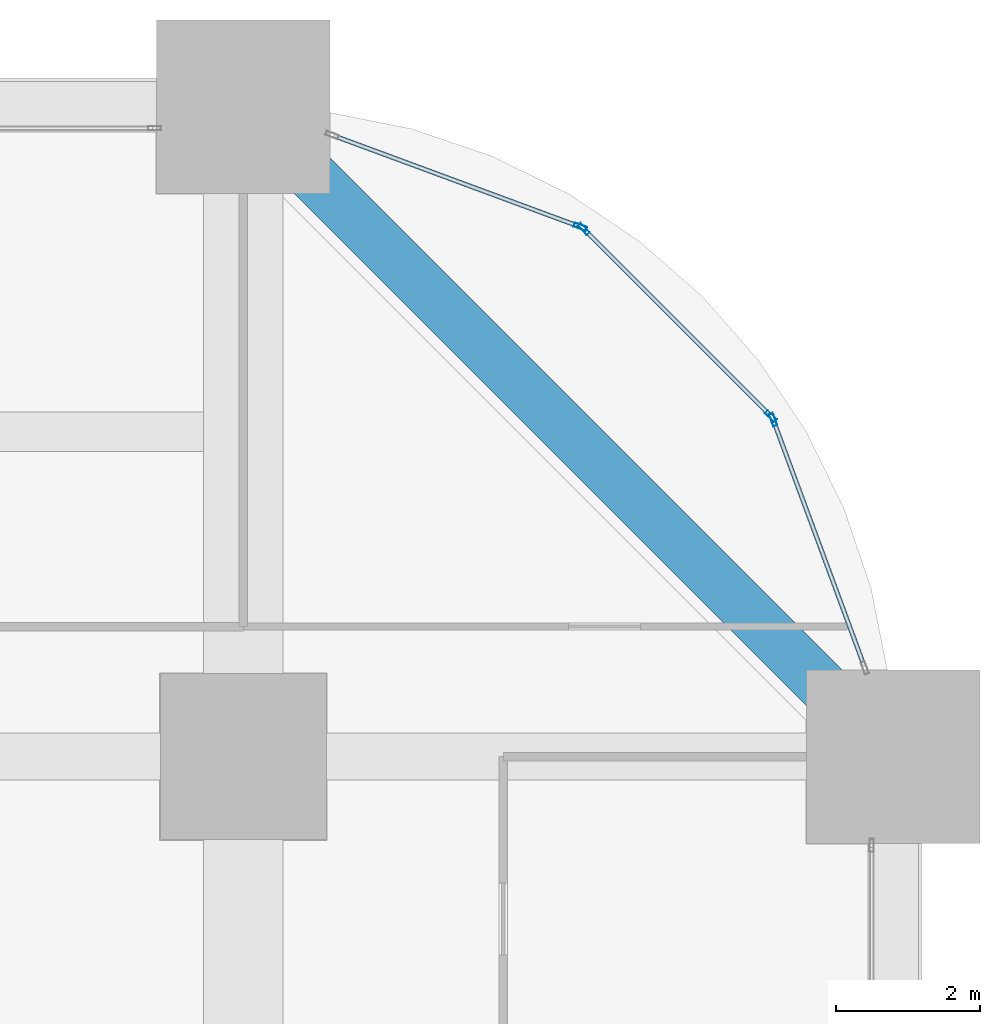
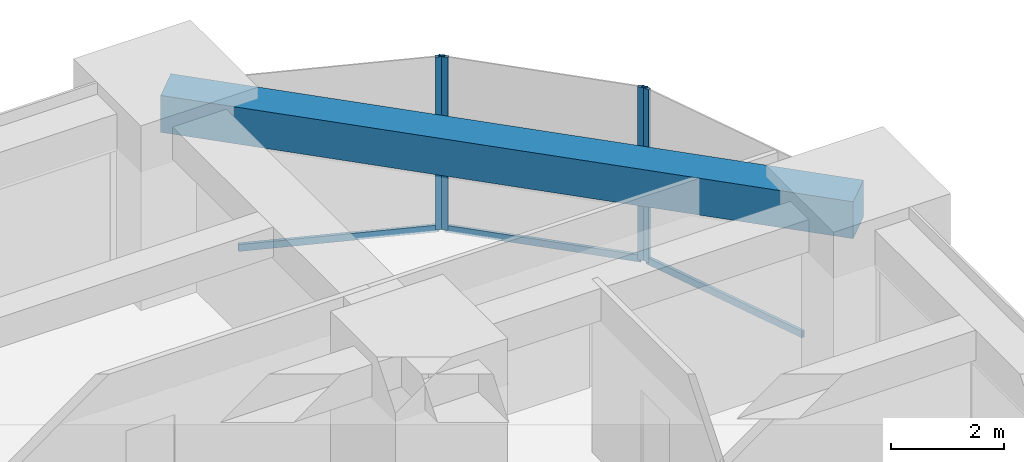
# One storey, part 37 of 45: 7 members, 1 beam, 3 elements without a shape of their own.
"""IFC4 building model written with IfcOpenShell, lengths in metres."""

from ifc_helpers import new_model, si_unit, direction, frame, origin, origin_2d, place, context, subcontext, project, spatial, rectangle, hollow_rectangle, extrude, material, material_profile, profile_set, type_object, element, aggregate, save


model = new_model("IFC4")

# Units and contexts
model_context = context("Model", 3, precision=1e-05, world=origin(), true_north=direction((0.0, 1.0)))
body_context = subcontext(model_context, "Body", "Model", "MODEL_VIEW")
ifc_project = project(units=[si_unit("LENGTHUNIT", "METRE"), si_unit("AREAUNIT", "SQUARE_METRE"), si_unit("VOLUMEUNIT", "CUBIC_METRE"), si_unit("PLANEANGLEUNIT", "RADIAN"), si_unit("MASSUNIT", "GRAM", prefix="KILO")], contexts=[model_context])

# Site, building, storey
site_placement = place(None, origin())
site = spatial("IfcSite", under=ifc_project, at=site_placement, CompositionType="ELEMENT")
building_placement = place(site_placement, origin())
building = spatial("IfcBuilding", under=site, at=building_placement, Name="Zorevar Civic Tower", CompositionType="ELEMENT")
storey_placement = place(building_placement, frame((0.0, 0.0, 27.800048828125)))
storey = spatial("IfcBuildingStorey", under=building, at=storey_placement, Name="L06", CompositionType="ELEMENT", Elevation=27.800048828125)

# Curtain wall, member
ifc_material_1 = material(Name="Dark grey solar-control glass in black aluminium frame", Category="aluminium")
curtain_wall_type = type_object("IfcCurtainWallType", Name="Curtain wall CW2 low zone", PredefinedType="NOTDEFINED", material=ifc_material_1)
curtain_wall_1_placement = place(storey_placement, origin())
curtain_wall_1 = element("IfcCurtainWall", 1, at=curtain_wall_1_placement, inside=storey, type_object=curtain_wall_type, Name="CW2 L06", PredefinedType="NOTDEFINED")
ifc_material_2 = material(Name="Aluminium, black anodised", Category="aluminium")
ifc_material_profile_1 = material_profile(ifc_material_2, hollow_rectangle(XDim=0.06005859375, YDim=0.179931640625, WallThickness=0.00390625, at=origin_2d()), Name="AL 180x60x4")
ifc_profile_set_1 = profile_set([ifc_material_profile_1], Name="Aluminium, black anodised")
member_type_1 = type_object("IfcMemberType", Name="CW2 mullion AL 180x60x4", PredefinedType="MULLION", material=ifc_profile_set_1)
member_1_placement = place(storey_placement, frame((61.336181640625, 49.66455078125, 0.0), z_axis=(0.0, 0.0, 1.0), x_axis=(-0.937974588163, -0.346704012033, 0.0)))
member_1 = element("IfcMember", 2, at=member_1_placement, type_object=member_type_1, Name="CW2 mullion 2", PredefinedType="MULLION", context=body_context, shape_type="SweptSolid", body=[
    extrude(hollow_rectangle(XDim=0.06005859375, YDim=0.179931640625, WallThickness=0.00390625, at=origin_2d()), origin(), (0.0, 0.0, 1.0), 3.75),
])

# Curtain wall, members
curtain_wall_2_placement = place(storey_placement, origin())
curtain_wall_2 = element("IfcCurtainWall", 3, at=curtain_wall_2_placement, inside=storey, type_object=curtain_wall_type, Name="CW2 L06", PredefinedType="NOTDEFINED")
member_2_placement = place(storey_placement, frame((61.3046875, 49.7138671875, 0.0), z_axis=(0.0, 0.0, 1.0), x_axis=(-0.707106781187, -0.707106781187, 0.0)))
member_2 = element("IfcMember", 4, at=member_2_placement, type_object=member_type_1, Name="CW2 mullion 1", PredefinedType="MULLION", context=body_context, shape_type="SweptSolid", body=[
    extrude(hollow_rectangle(XDim=0.06005859375, YDim=0.179931640625, WallThickness=0.00390625, at=origin_2d()), origin(), (0.0, 0.0, 1.0), 3.75),
])
member_3_placement = place(storey_placement, frame((58.7138671875, 52.3046875, 0.0), z_axis=(0.0, 0.0, 1.0), x_axis=(-0.707106781187, -0.707106781187, 0.0)))
member_3 = element("IfcMember", 5, at=member_3_placement, type_object=member_type_1, Name="CW2 mullion 2", PredefinedType="MULLION", context=body_context, shape_type="SweptSolid", body=[
    extrude(hollow_rectangle(XDim=0.06005859375, YDim=0.179931640625, WallThickness=0.00390625, at=origin_2d()), origin(), (0.0, 0.0, 1.0), 3.75),
])

# Curtain wall, member
curtain_wall_3_placement = place(storey_placement, origin())
curtain_wall_3 = element("IfcCurtainWall", 6, at=curtain_wall_3_placement, inside=storey, type_object=curtain_wall_type, Name="CW2 L06", PredefinedType="NOTDEFINED")
member_4_placement = place(storey_placement, frame((58.66455078125, 52.336181640625, 0.0), z_axis=(0.0, 0.0, 1.0), x_axis=(-0.346704012033, -0.937974588163, 0.0)))
member_4 = element("IfcMember", 7, at=member_4_placement, type_object=member_type_1, Name="CW2 mullion 1", PredefinedType="MULLION", context=body_context, shape_type="SweptSolid", body=[
    extrude(hollow_rectangle(XDim=0.06005859375, YDim=0.179931640625, WallThickness=0.00390625, at=origin_2d()), origin(), (0.0, 0.0, 1.0), 3.75),
])

# Member
ifc_material_3 = material(Name="Aluminium, black anodised", Category="aluminium")
ifc_material_profile_2 = material_profile(ifc_material_3, hollow_rectangle(XDim=0.06005859375, YDim=0.14990234375, WallThickness=0.00390625, at=origin_2d()), Name="AL 150x60x4")
ifc_profile_set_2 = profile_set([ifc_material_profile_2], Name="Aluminium, black anodised")
member_type_2 = type_object("IfcMemberType", Name="CW2 transom AL 150x60x4", PredefinedType="USERDEFINED", material=ifc_profile_set_2)
member_5_placement = place(storey_placement, frame((62.595947265625, 46.25634765625, 0.030029296875), z_axis=(-0.346672169799, 0.93798635741, 0.0), x_axis=(-0.93798635741, -0.346672169799, 0.0)))
member_5 = element("IfcMember", 8, at=member_5_placement, type_object=member_type_2, Name="CW2 sill transom", ObjectType="TRANSOM", PredefinedType="USERDEFINED", context=body_context, shape_type="SweptSolid", body=[
    extrude(hollow_rectangle(XDim=0.06005859375, YDim=0.14990234375, WallThickness=0.00390625, at=origin_2d()), origin(), (0.0, 0.0, 1.0), 3.603515625),
])

aggregate(curtain_wall_1, [member_1, member_5])

member_6_placement = place(storey_placement, frame((61.283447265625, 49.735107421875, 0.030029296875), z_axis=(-0.707106781187, 0.707106781187, 0.0), x_axis=(-0.707106781187, -0.707106781187, 0.0)))
member_6 = element("IfcMember", 9, at=member_6_placement, type_object=member_type_2, Name="CW2 sill transom", ObjectType="TRANSOM", PredefinedType="USERDEFINED", context=body_context, shape_type="SweptSolid", body=[
    extrude(hollow_rectangle(XDim=0.06005859375, YDim=0.14990234375, WallThickness=0.00390625, at=origin_2d()), origin(), (0.0, 0.0, 1.0), 3.60400390625),
])

aggregate(curtain_wall_2, [member_2, member_3, member_6])

member_7_placement = place(storey_placement, frame((58.636474609375, 52.3466796875, 0.030029296875), z_axis=(-0.93798635741, 0.346672169799, 0.0), x_axis=(-0.346672169799, -0.93798635741, 0.0)))
member_7 = element("IfcMember", 10, at=member_7_placement, type_object=member_type_2, Name="CW2 sill transom", ObjectType="TRANSOM", PredefinedType="USERDEFINED", context=body_context, shape_type="SweptSolid", body=[
    extrude(hollow_rectangle(XDim=0.06005859375, YDim=0.14990234375, WallThickness=0.00390625, at=origin_2d()), origin(), (0.0, 0.0, 1.0), 3.603515625),
])

aggregate(curtain_wall_3, [member_4, member_7])

# Beam
ifc_material_4 = material(Name="Concrete C50/60", Category="concrete")
ifc_material_profile_3 = material_profile(ifc_material_4, rectangle(XDim=0.699951171875, YDim=0.800048828125, at=origin_2d()), Name="RC 700x800")
ifc_profile_set_3 = profile_set([ifc_material_profile_3], Name="Concrete C50/60")
beam_type = type_object("IfcBeamType", Name="Edge beam RC 700x800", PredefinedType="SPANDREL", material=ifc_profile_set_3)
beam_placement = place(storey_placement, frame((63.0, 45.0, 3.349853515625), z_axis=(-0.707106781187, 0.707106781187, 0.0), x_axis=(-0.707106781187, -0.707106781187, 0.0)))
element("IfcBeam", 11, at=beam_placement, inside=storey, type_object=beam_type, Name="Corner edge beam L07", PredefinedType="SPANDREL", context=body_context, shape_type="SweptSolid", body=[
    extrude(rectangle(XDim=0.699951171875, YDim=0.800048828125, at=origin_2d()), origin(), (0.0, 0.0, 1.0), 12.72802734375),
])

save(model, "model.ifc")
